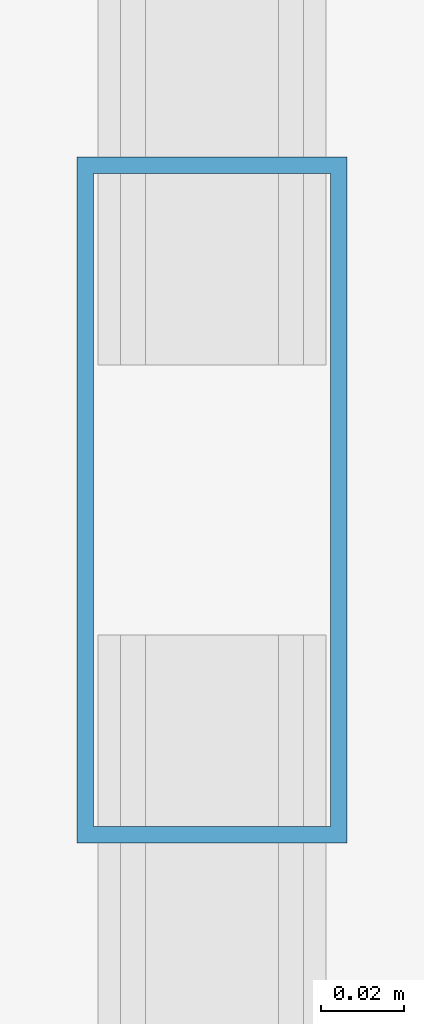
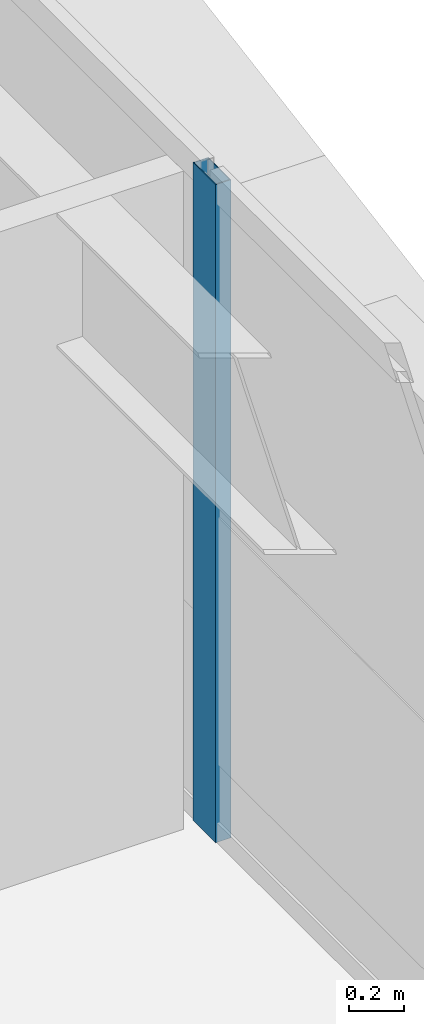
# One storey, part 26 of 58: 1 member, 1 element without a shape of its own.
"""IFC4 building model written with IfcOpenShell, lengths in metres."""

from ifc_helpers import new_model, si_unit, direction, frame, origin, origin_2d, place, context, subcontext, project, spatial, hollow_rectangle, extrude, source, transform, mapped, material, layer, layer_set, material_profile, profile_set, type_object, element, aggregate, save


model = new_model("IFC4")

# Units and contexts
model_context = context("Model", 3, precision=1e-05, world=origin(), true_north=direction((0.0, 1.0)))
body_context = subcontext(model_context, "Body", "Model", "MODEL_VIEW")
ifc_project = project(units=[si_unit("LENGTHUNIT", "METRE"), si_unit("AREAUNIT", "SQUARE_METRE"), si_unit("VOLUMEUNIT", "CUBIC_METRE"), si_unit("PLANEANGLEUNIT", "RADIAN"), si_unit("MASSUNIT", "GRAM", prefix="KILO")], contexts=[model_context])

# Site, building, storey
site_placement = place(None, origin())
site = spatial("IfcSite", under=ifc_project, at=site_placement, CompositionType="ELEMENT")
building_placement = place(site_placement, origin())
building = spatial("IfcBuilding", under=site, at=building_placement, Name="Taldren Reach Tower", CompositionType="ELEMENT")
storey_placement = place(building_placement, frame((0.0, 0.0, 54.60009765625)))
storey = spatial("IfcBuildingStorey", under=building, at=storey_placement, Name="L16", CompositionType="ELEMENT", Elevation=54.60009765625)

# Curtain wall, member
ifc_material_1 = material(Name="Aluminium and Low-E Glass Unitised System", Category="aluminium")
ifc_layer = layer(ifc_material_1, 0.159912109375)
ifc_layer_set = layer_set([ifc_layer], Name="Aluminium and Low-E Glass Unitised System")
curtain_wall_type = type_object("IfcCurtainWallType", Name="CW-SYS-2", PredefinedType="NOTDEFINED", material=ifc_layer_set)
curtain_wall_placement = place(storey_placement, origin())
curtain_wall = element("IfcCurtainWall", 1, at=curtain_wall_placement, inside=storey, type_object=curtain_wall_type, Name="Unitised curtain wall CW-L16-E", PredefinedType="NOTDEFINED")
ifc_material_2 = material(Name="Anodised Aluminium 6063-T6", Category="aluminium")
ifc_material_profile = material_profile(ifc_material_2, hollow_rectangle(XDim=0.06494140625, YDim=0.1650390625, WallThickness=0.00390625, at=origin_2d()), Name="ALU-165x65x4RHS")
ifc_profile_set = profile_set([ifc_material_profile], Name="Anodised Aluminium 6063-T6")
member_type = type_object("IfcMemberType", Name="CW-MUL-165", PredefinedType="MULLION", material=ifc_profile_set)
shared_shape = source(origin(), body_context, "Body", "SweptSolid", [
    extrude(hollow_rectangle(XDim=0.06494140625, YDim=0.1650390625, WallThickness=0.00390625, at=origin_2d()), origin(), (0.0, 0.0, 1.0), 2.929931640625),
])
member_placement = place(storey_placement, frame((64.860107421875, 11.388916015625, 0.0), z_axis=(0.0, 0.0, 1.0), x_axis=(-1.0, 0.0, 0.0)))
member = element("IfcMember", 2, at=member_placement, type_object=member_type, Name="CW-2 mullion 3", PredefinedType="MULLION", context=body_context, shape_type="MappedRepresentation", body=[
    mapped(shared_shape, transform((0.0, 0.0, 0.0), scale=1.0)),
])
aggregate(curtain_wall, [member])

save(model, "model.ifc")
